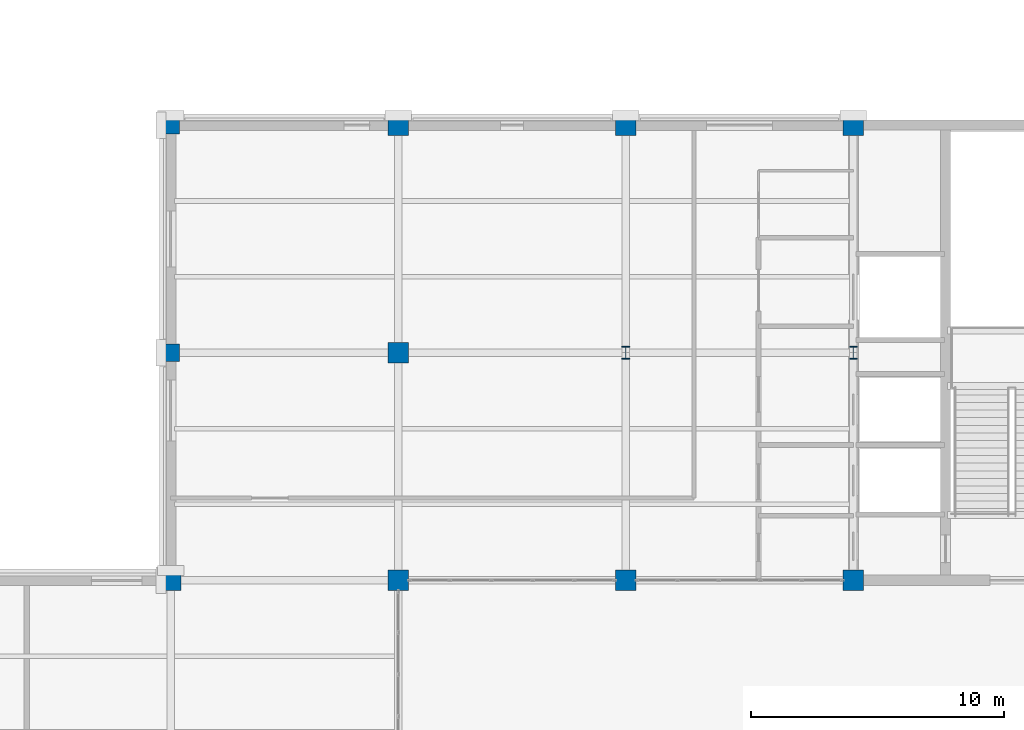
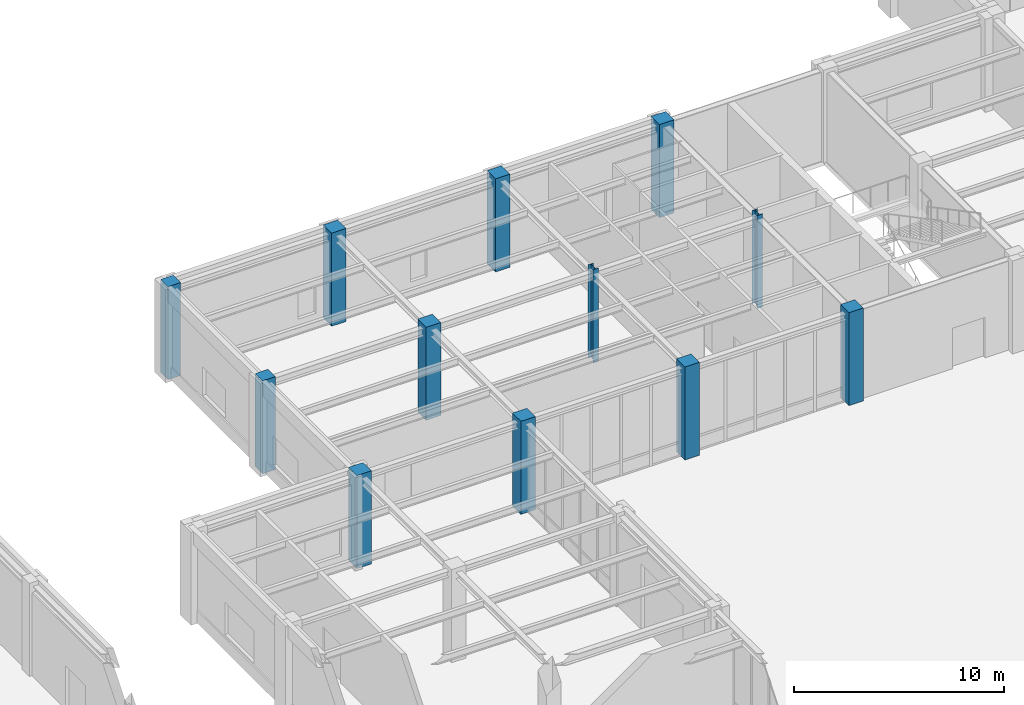
# One storey, part 12 of 77: 12 columns.
"""IFC4 building model written with IfcOpenShell, lengths in metres."""

from ifc_helpers import new_model, si_unit, direction, frame, origin, origin_2d, place, context, subcontext, project, spatial, rectangle, i_section, extrude, material, material_profile, profile_set, type_object, element, save


model = new_model("IFC4")

# Units and contexts
model_context = context("Model", 3, precision=1e-05, world=origin(), true_north=direction((0.0, 1.0)))
body_context = subcontext(model_context, "Body", "Model", "MODEL_VIEW")
ifc_project = project(units=[si_unit("LENGTHUNIT", "METRE"), si_unit("AREAUNIT", "SQUARE_METRE"), si_unit("VOLUMEUNIT", "CUBIC_METRE"), si_unit("PLANEANGLEUNIT", "RADIAN"), si_unit("MASSUNIT", "GRAM", prefix="KILO")], contexts=[model_context])

# Site, building, storey
site_placement = place(None, origin())
site = spatial("IfcSite", under=ifc_project, at=site_placement, CompositionType="ELEMENT")
building_placement = place(site_placement, origin())
building = spatial("IfcBuilding", under=site, at=building_placement, Name="Lykobir Media Centre", CompositionType="ELEMENT")
storey_placement = place(building_placement, origin())
storey = spatial("IfcBuildingStorey", under=building, at=storey_placement, Name="L00", CompositionType="ELEMENT", Elevation=0.0)

# Columns
ifc_material_1 = material(Name="Concrete C40/50", Category="concrete")
ifc_material_profile_1 = material_profile(ifc_material_1, rectangle(XDim=0.699951171875, YDim=0.699951171875, at=origin_2d()), Name="RC 700x700")
ifc_profile_set_1 = profile_set([ifc_material_profile_1], Name="Concrete C40/50")
column_type_1 = type_object("IfcColumnType", Name="RC-C700", PredefinedType="COLUMN", material=ifc_profile_set_1)
for number, where, z_axis, x_axis, name in (
    (1, (99.0, 81.0, 0.0), (0.0, 0.0, 1.0), (1.0, 0.0, 0.0), "Column COL-L00-0990-0810"),
    (2, (99.0, 90.0, 0.0), (0.0, 0.0, 1.0), (1.0, 0.0, 0.0), "Column COL-L00-0990-0900"),
):
    element("IfcColumn", number, at=place(storey_placement, frame(where, z_axis=z_axis, x_axis=x_axis)), inside=storey, type_object=column_type_1, Name=name, PredefinedType="COLUMN", context=body_context, shape_type="SweptSolid", body=[
        extrude(rectangle(XDim=0.699951171875, YDim=0.699951171875, at=origin_2d()), origin(), (0.0, 0.0, 1.0), 5.39990234375),
    ])
ifc_material_profile_2 = material_profile(ifc_material_1, rectangle(XDim=0.800048828125, YDim=0.800048828125, at=origin_2d()), Name="RC 800x800")
ifc_profile_set_2 = profile_set([ifc_material_profile_2], Name="Concrete C40/50")
column_type_2 = type_object("IfcColumnType", Name="RC-C800", PredefinedType="COLUMN", material=ifc_profile_set_2)
for number, where, z_axis, x_axis, name in (
    (3, (99.0, 72.0, 0.0), (0.0, 0.0, 1.0), (1.0, 0.0, 0.0), "Column COL-L00-0990-0720"),
    (4, (108.0, 72.0, 0.0), (0.0, 0.0, 1.0), (1.0, 0.0, 0.0), "Column COL-L00-1080-0720"),
    (5, (108.0, 81.0, 0.0), (0.0, 0.0, 1.0), (1.0, 0.0, 0.0), "Column COL-L00-1080-0810"),
    (6, (108.0, 90.0, 0.0), (0.0, 0.0, 1.0), (1.0, 0.0, 0.0), "Column COL-L00-1080-0900"),
    (7, (117.0, 72.0, 0.0), (0.0, 0.0, 1.0), (1.0, 0.0, 0.0), "Column COL-L00-1170-0720"),
    (8, (117.0, 90.0, 0.0), (0.0, 0.0, 1.0), (1.0, 0.0, 0.0), "Column COL-L00-1170-0900"),
    (9, (126.0, 72.0, 0.0), (0.0, 0.0, 1.0), (1.0, 0.0, 0.0), "Column COL-L00-1260-0720"),
    (10, (126.0, 90.0, 0.0), (0.0, 0.0, 1.0), (1.0, 0.0, 0.0), "Column COL-L00-1260-0900"),
):
    element("IfcColumn", number, at=place(storey_placement, frame(where, z_axis=z_axis, x_axis=x_axis)), inside=storey, type_object=column_type_2, Name=name, PredefinedType="COLUMN", context=body_context, shape_type="SweptSolid", body=[
        extrude(rectangle(XDim=0.800048828125, YDim=0.800048828125, at=origin_2d()), origin(), (0.0, 0.0, 1.0), 5.39990234375),
    ])
ifc_material_2 = material(Name="Steel S355", Category="steel")
ifc_material_profile_3 = material_profile(ifc_material_2, i_section(OverallWidth=0.300048828125, OverallDepth=0.5, WebThickness=0.014404296875, FlangeThickness=0.028076171875, at=origin_2d()), Name="HEB 500")
ifc_profile_set_3 = profile_set([ifc_material_profile_3], Name="Steel S355")
column_type_3 = type_object("IfcColumnType", Name="SC-HEB500", PredefinedType="COLUMN", material=ifc_profile_set_3)
for number, where, z_axis, x_axis, name in (
    (11, (117.0, 81.0, 0.0), (0.0, 0.0, 1.0), (1.0, 0.0, 0.0), "Column COL-L00-1170-0810"),
    (12, (126.0, 81.0, 0.0), (0.0, 0.0, 1.0), (1.0, 0.0, 0.0), "Column COL-L00-1260-0810"),
):
    element("IfcColumn", number, at=place(storey_placement, frame(where, z_axis=z_axis, x_axis=x_axis)), inside=storey, type_object=column_type_3, Name=name, PredefinedType="COLUMN", context=body_context, shape_type="SweptSolid", body=[
        extrude(i_section(OverallWidth=0.300048828125, OverallDepth=0.5, WebThickness=0.014404296875, FlangeThickness=0.028076171875, at=origin_2d()), origin(), (0.0, 0.0, 1.0), 5.39990234375),
    ])

save(model, "model.ifc")
